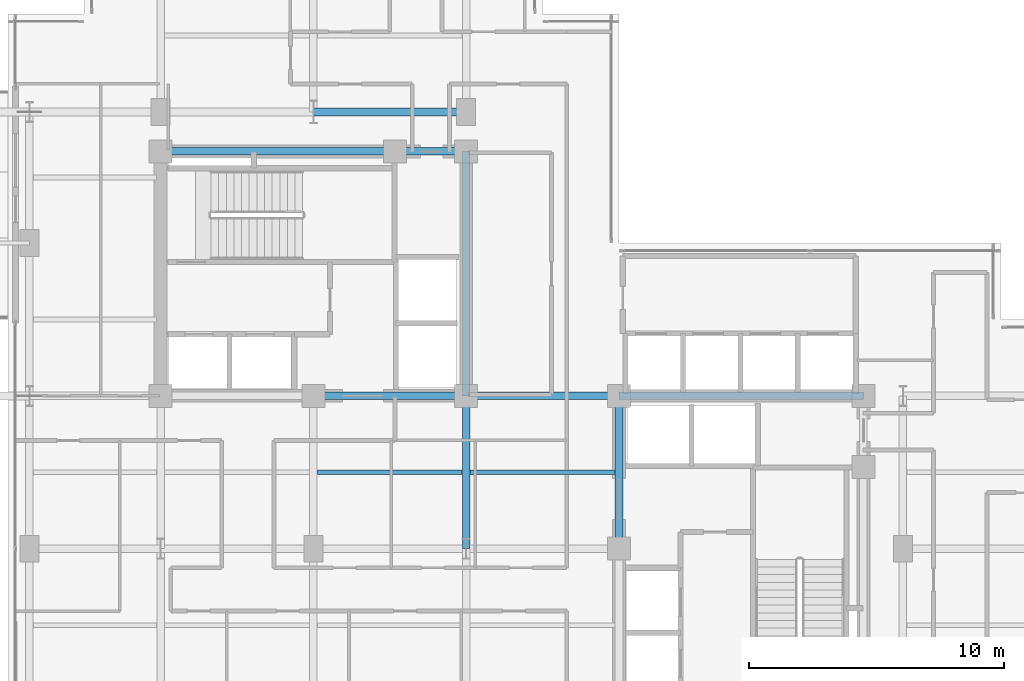
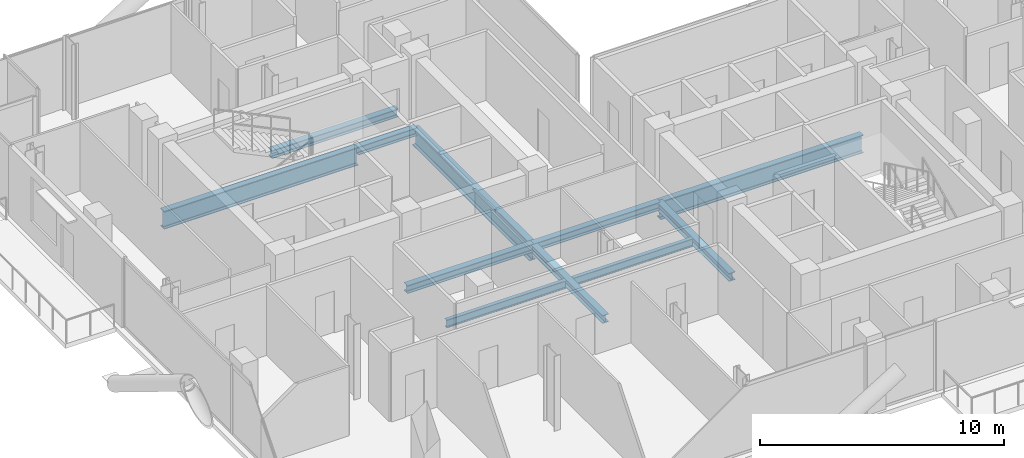
# One storey, part 9 of 26: 11 beams.
"""IFC4 building model written with IfcOpenShell, lengths in metres."""

from ifc_helpers import new_model, si_unit, direction, frame, origin, origin_2d, place, context, subcontext, project, spatial, i_section, extrude, material, material_profile, profile_set, type_object, element, save


model = new_model("IFC4")

# Units and contexts
model_context = context("Model", 3, precision=1e-05, world=origin(), true_north=direction((0.0, 1.0)))
body_context = subcontext(model_context, "Body", "Model", "MODEL_VIEW")
ifc_project = project(units=[si_unit("LENGTHUNIT", "METRE"), si_unit("AREAUNIT", "SQUARE_METRE"), si_unit("VOLUMEUNIT", "CUBIC_METRE"), si_unit("PLANEANGLEUNIT", "RADIAN"), si_unit("MASSUNIT", "GRAM", prefix="KILO"), si_unit("THERMODYNAMICTEMPERATUREUNIT", "KELVIN"), si_unit("POWERUNIT", "WATT")], contexts=[model_context])

# Site, building, storey
site_placement = place(None, origin())
site = spatial("IfcSite", under=ifc_project, at=site_placement, CompositionType="ELEMENT")
building_placement = place(site_placement, origin())
building = spatial("IfcBuilding", under=site, at=building_placement, Name="Svarakhadi Broadcast Tower", CompositionType="ELEMENT")
storey_placement = place(building_placement, frame((0.0, 0.0, 195.449951171875)))
storey = spatial("IfcBuildingStorey", under=building, at=storey_placement, Name="L48", CompositionType="ELEMENT", Elevation=195.449951171875)

# Beams
ifc_material_1 = material(Name="Steel S355J2 (IS 2062 E350C)", Category="steel")
ifc_material_profile_1 = material_profile(ifc_material_1, i_section(OverallWidth=0.179931640625, OverallDepth=0.39990234375, WebThickness=0.008544921875, FlangeThickness=0.013427734375, FilletRadius=0.02099609375, at=origin_2d()), Name="NPB 400x180x66")
ifc_profile_set_1 = profile_set([ifc_material_profile_1], Name="Steel S355J2 (IS 2062 E350C)")
beam_type_1 = type_object("IfcBeamType", Name="Beam_NPB400", PredefinedType="BEAM", material=ifc_profile_set_1)
for number, where, z_axis, x_axis, name in (
    (1, (12.159912109375, 15.0, -0.409912109375), (1.0, 0.0, 0.0), (0.0, 1.0, 0.0), "L48 Secondary Composite Beam SB011"),
    (2, (18.159912109375, 15.0, -0.409912109375), (1.0, 0.0, 0.0), (0.0, 1.0, 0.0), "L48 Secondary Composite Beam SB015"),
):
    element("IfcBeam", number, at=place(storey_placement, frame(where, z_axis=z_axis, x_axis=x_axis)), inside=storey, type_object=beam_type_1, Name=name, PredefinedType="BEAM", context=body_context, shape_type="SweptSolid", body=[
        extrude(i_section(OverallWidth=0.179931640625, OverallDepth=0.39990234375, WebThickness=0.008544921875, FlangeThickness=0.013427734375, FilletRadius=0.02099609375, at=origin_2d()), origin(), (0.0, 0.0, 1.0), 5.68017578125),
    ])
ifc_material_profile_2 = material_profile(ifc_material_1, i_section(OverallWidth=0.300048828125, OverallDepth=0.39990234375, WebThickness=0.013427734375, FlangeThickness=0.02392578125, FilletRadius=0.027099609375, at=origin_2d()), Name="WPB 400x300x155")
ifc_profile_set_2 = profile_set([ifc_material_profile_2], Name="Steel S355J2 (IS 2062 E350C)")
beam_type_2 = type_object("IfcBeamType", Name="Girder_WPB400", PredefinedType="USERDEFINED", material=ifc_profile_set_2)
for number, where, z_axis, x_axis, name in (
    (3, (12.0, 18.0, -0.409912109375), (1.0, 0.0, 0.0), (0.0, 1.0, 0.0), "L48 Primary E-W Girder G022"),
    (4, (18.0, 18.0, -0.409912109375), (1.0, 0.0, 0.0), (0.0, 1.0, 0.0), "L48 Primary E-W Girder G023"),
):
    element("IfcBeam", number, at=place(storey_placement, frame(where, z_axis=z_axis, x_axis=x_axis)), inside=storey, type_object=beam_type_2, Name=name, ObjectType="GIRDER", PredefinedType="USERDEFINED", context=body_context, shape_type="SweptSolid", body=[
        extrude(i_section(OverallWidth=0.300048828125, OverallDepth=0.39990234375, WebThickness=0.013427734375, FlangeThickness=0.02392578125, FilletRadius=0.027099609375, at=origin_2d()), origin(), (0.0, 0.0, 1.0), 6.0),
    ])
beam_1_placement = place(storey_placement, frame((15.199951171875, 27.60009765625, -0.409912109375), z_axis=(1.0, 0.0, 0.0), x_axis=(0.0, 1.0, 0.0)))
element("IfcBeam", 5, at=beam_1_placement, inside=storey, type_object=beam_type_2, Name="L48 Primary E-W Girder G027", ObjectType="GIRDER", PredefinedType="USERDEFINED", context=body_context, shape_type="SweptSolid", body=[
    extrude(i_section(OverallWidth=0.300048828125, OverallDepth=0.39990234375, WebThickness=0.013427734375, FlangeThickness=0.02392578125, FilletRadius=0.027099609375, at=origin_2d()), origin(), (0.0, 0.0, 1.0), 2.800048828125),
])
for number, where, z_axis, x_axis, name in (
    (6, (12.0, 29.14990234375, -0.409912109375), (1.0, 0.0, 0.0), (0.0, 1.0, 0.0), "L48 Primary E-W Girder G030"),
    (7, (18.0, 12.0, -0.409912109375), (0.0, 1.0, 0.0), (-1.0, 0.0, 0.0), "L48 Primary N-S Girder G048"),
    (8, (24.0, 12.0, -0.409912109375), (0.0, 1.0, 0.0), (-1.0, 0.0, 0.0), "L48 Primary N-S Girder G053"),
):
    element("IfcBeam", number, at=place(storey_placement, frame(where, z_axis=z_axis, x_axis=x_axis)), inside=storey, type_object=beam_type_2, Name=name, ObjectType="GIRDER", PredefinedType="USERDEFINED", context=body_context, shape_type="SweptSolid", body=[
        extrude(i_section(OverallWidth=0.300048828125, OverallDepth=0.39990234375, WebThickness=0.013427734375, FlangeThickness=0.02392578125, FilletRadius=0.027099609375, at=origin_2d()), origin(), (0.0, 0.0, 1.0), 6.0),
    ])
ifc_material_2 = material(Name="Steel S460ML (IS 2062 E450BR)", Category="steel")
ifc_material_profile_3 = material_profile(ifc_material_2, i_section(OverallWidth=0.300048828125, OverallDepth=0.89990234375, WebThickness=0.0185546875, FlangeThickness=0.034912109375, FilletRadius=0.030029296875, at=origin_2d()), Name="WPB 900x300x291")
ifc_profile_set_3 = profile_set([ifc_material_profile_3], Name="Steel S460ML (IS 2062 E450BR)")
beam_type_3 = type_object("IfcBeamType", Name="Girder_WPB900", PredefinedType="USERDEFINED", material=ifc_profile_set_3)
beam_2_placement = place(storey_placement, frame((24.0, 18.0, -0.659912109375), z_axis=(1.0, 0.0, 0.0), x_axis=(0.0, 1.0, 0.0)))
element("IfcBeam", 9, at=beam_2_placement, inside=storey, type_object=beam_type_3, Name="L48 Primary E-W Girder G024", ObjectType="GIRDER", PredefinedType="USERDEFINED", context=body_context, shape_type="SweptSolid", body=[
    extrude(i_section(OverallWidth=0.300048828125, OverallDepth=0.89990234375, WebThickness=0.0185546875, FlangeThickness=0.034912109375, FilletRadius=0.030029296875, at=origin_2d()), origin(), (0.0, 0.0, 1.0), 9.60009765625),
])
beam_3_placement = place(storey_placement, frame((6.0, 27.60009765625, -0.659912109375), z_axis=(1.0, 0.0, 0.0), x_axis=(0.0, 1.0, 0.0)))
element("IfcBeam", 10, at=beam_3_placement, inside=storey, type_object=beam_type_3, Name="L48 Primary E-W Girder G026", ObjectType="GIRDER", PredefinedType="USERDEFINED", context=body_context, shape_type="SweptSolid", body=[
    extrude(i_section(OverallWidth=0.300048828125, OverallDepth=0.89990234375, WebThickness=0.0185546875, FlangeThickness=0.034912109375, FilletRadius=0.030029296875, at=origin_2d()), origin(), (0.0, 0.0, 1.0), 9.199951171875),
])
beam_4_placement = place(storey_placement, frame((18.0, 18.0, -0.659912109375), z_axis=(0.0, 1.0, 0.0), x_axis=(-1.0, 0.0, 0.0)))
element("IfcBeam", 11, at=beam_4_placement, inside=storey, type_object=beam_type_3, Name="L48 Primary N-S Girder G049", ObjectType="GIRDER", PredefinedType="USERDEFINED", context=body_context, shape_type="SweptSolid", body=[
    extrude(i_section(OverallWidth=0.300048828125, OverallDepth=0.89990234375, WebThickness=0.0185546875, FlangeThickness=0.034912109375, FilletRadius=0.030029296875, at=origin_2d()), origin(), (0.0, 0.0, 1.0), 9.60009765625),
])

save(model, "model.ifc")
